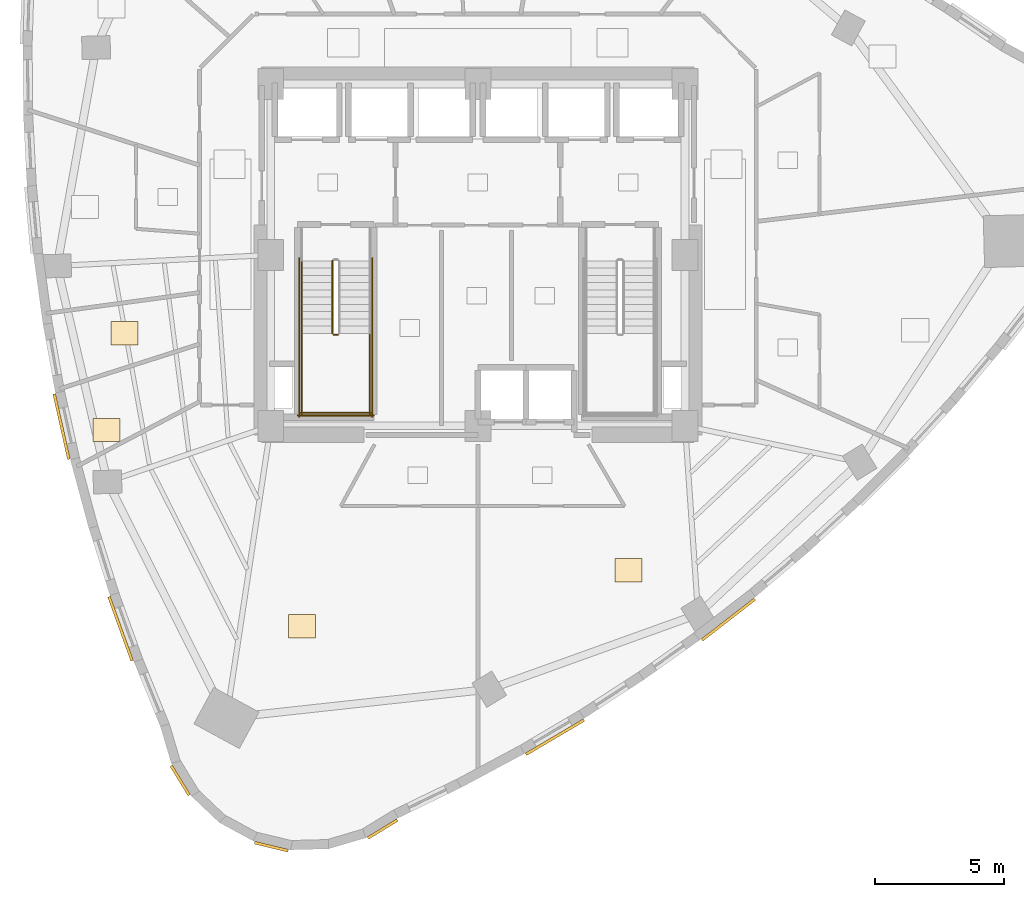
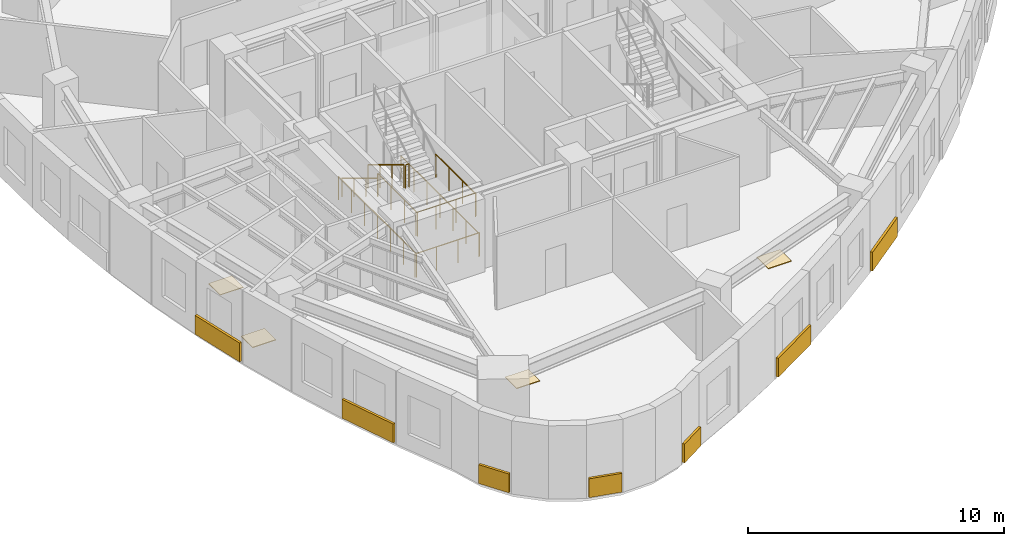
# One storey, part 10 of 12: 11 coverings, 9 railings.
"""IFC4 building model written with IfcOpenShell, lengths in metres."""

from ifc_helpers import new_model, si_unit, direction, frame, origin, origin_2d, place, context, subcontext, project, spatial, rectangle, circle, extrude, material, layer, layer_set, type_object, element, save


model = new_model("IFC4")

# Units and contexts
model_context = context("Model", 3, precision=1e-05, world=origin(), true_north=direction((0.0, 1.0)))
body_context = subcontext(model_context, "Body", "Model", "MODEL_VIEW")
ifc_project = project(units=[si_unit("LENGTHUNIT", "METRE"), si_unit("AREAUNIT", "SQUARE_METRE"), si_unit("VOLUMEUNIT", "CUBIC_METRE"), si_unit("PLANEANGLEUNIT", "RADIAN"), si_unit("MASSUNIT", "GRAM", prefix="KILO")], contexts=[model_context])

# Site, building, storey
site_placement = place(None, origin())
site = spatial("IfcSite", under=ifc_project, at=site_placement, CompositionType="ELEMENT")
building_placement = place(site_placement, origin())
building = spatial("IfcBuilding", under=site, at=building_placement, Name="Ndelora Gate Hotel", CompositionType="ELEMENT")
storey_placement = place(building_placement, frame((0.0, 0.0, 153.5)))
storey = spatial("IfcBuildingStorey", under=building, at=storey_placement, Name="L38", CompositionType="ELEMENT", Elevation=153.5)

# Coverings
ifc_material_1 = material(Name="Terracotta Fired Clay Brick Slip Cladding", Category="masonry")
ifc_layer_1 = layer(ifc_material_1, 0.110107421875)
ifc_layer_set_1 = layer_set([ifc_layer_1], Name="Terracotta Fired Clay Brick Slip Cladding")
covering_type_1 = type_object("IfcCoveringType", Name="COV-CLAD-BRK", PredefinedType="CLADDING", material=ifc_layer_set_1)
covering_1_placement = place(storey_placement, frame((-16.08154296875, -6.630615234375, 0.10009765625), z_axis=(0.0, 0.0, 1.0), x_axis=(-0.218994806262, 0.975726024471, 0.0)))
element("IfcCovering", 1, at=covering_1_placement, inside=storey, type_object=covering_type_1, Name="L38 Rounded-Corner Brick Cladding Band 16", PredefinedType="CLADDING", context=body_context, shape_type="SweptSolid", body=[
    extrude(rectangle(XDim=2.583984375, YDim=0.110107421875, at=origin_2d()), origin(), (0.0, 0.0, 1.0), 0.89990234375),
])
covering_2_placement = place(storey_placement, frame((-13.8037109375, -14.436279296875, 0.10009765625), z_axis=(0.0, 0.0, 1.0), x_axis=(-0.339230517808, 0.940703277228, 0.0)))
element("IfcCovering", 2, at=covering_2_placement, inside=storey, type_object=covering_type_1, Name="L38 Rounded-Corner Brick Cladding Band 19", PredefinedType="CLADDING", context=body_context, shape_type="SweptSolid", body=[
    extrude(rectangle(XDim=2.6279296875, YDim=0.110107421875, at=origin_2d()), origin(), (0.0, 0.0, 1.0), 0.89990234375),
])
for number, where, z_axis, x_axis, name in (
    (3, (-11.5, -20.298583984375, 0.10009765625), (0.0, 0.0, 1.0), (-0.522498564716, 0.852640164354, 0.0), "L38 Rounded-Corner Brick Cladding Band 22"),
    (4, (-7.97900390625, -22.85693359375, 0.10009765625), (0.0, 0.0, 1.0), (-0.972369920398, 0.233445363856, 0.0), "L38 Rounded-Corner Brick Cladding Band 25"),
    (5, (-3.680419921875, -22.176025390625, 0.10009765625), (0.0, 0.0, 1.0), (0.852640164354, 0.522498564716, 0.0), "L38 Rounded-Corner Brick Cladding Band 28"),
):
    element("IfcCovering", number, at=place(storey_placement, frame(where, z_axis=z_axis, x_axis=x_axis)), inside=storey, type_object=covering_type_1, Name=name, PredefinedType="CLADDING", context=body_context, shape_type="SweptSolid", body=[
        extrude(rectangle(XDim=1.3359375, YDim=0.110107421875, at=origin_2d()), origin(), (0.0, 0.0, 1.0), 0.89990234375),
    ])
covering_3_placement = place(storey_placement, frame((2.975341796875, -18.628173828125, 0.10009765625), z_axis=(0.0, 0.0, 1.0), x_axis=(0.861274621876, 0.508139769859, 0.0)))
element("IfcCovering", 6, at=covering_3_placement, inside=storey, type_object=covering_type_1, Name="L38 Rounded-Corner Brick Cladding Band 31", PredefinedType="CLADDING", context=body_context, shape_type="SweptSolid", body=[
    extrude(rectangle(XDim=2.60791015625, YDim=0.110107421875, at=origin_2d()), origin(), (0.0, 0.0, 1.0), 0.89990234375),
])
covering_4_placement = place(storey_placement, frame((9.67578125, -14.084716796875, 0.10009765625), z_axis=(0.0, 0.0, 1.0), x_axis=(0.790368909154, 0.612631200187, 0.0)))
element("IfcCovering", 7, at=covering_4_placement, inside=storey, type_object=covering_type_1, Name="L38 Rounded-Corner Brick Cladding Band 34", PredefinedType="CLADDING", context=body_context, shape_type="SweptSolid", body=[
    extrude(rectangle(XDim=2.580078125, YDim=0.110107421875, at=origin_2d()), origin(), (0.0, 0.0, 1.0), 0.89990234375),
])
ifc_material_2 = material(Name="Engineered Highland Oak Parquet", Category="wood")
ifc_layer_2 = layer(ifc_material_2, 0.030029296875)
ifc_layer_set_2 = layer_set([ifc_layer_2], Name="Engineered Highland Oak Parquet")
covering_type_2 = type_object("IfcCoveringType", Name="COV-FLR-PARQ", PredefinedType="FLOORING", material=ifc_layer_set_2)
for number, where, z_axis, x_axis, name in (
    (8, (-6.793212890625, -14.343505859375, 0.0), (0.0, 0.0, 1.0), (1.0, 0.0, 0.0), "L38 Club King Corner Suite 4101 Oak Parquet Flooring"),
    (9, (5.814453125, -12.183837890625, 0.0), (0.0, 0.0, 1.0), (1.0, 0.0, 0.0), "L38 Club Twin Corner Suite 4102 Oak Parquet Flooring"),
    (10, (-13.6513671875, -3.01953125, 0.0), (0.0, 0.0, 1.0), (1.0, 0.0, 0.0), "L38 Housekeeping and Linen Room Oak Parquet Flooring"),
    (11, (-14.341064453125, -6.76171875, 0.0), (0.0, 0.0, 1.0), (1.0, 0.0, 0.0), "L38 Accessible WC Oak Parquet Flooring"),
):
    element("IfcCovering", number, at=place(storey_placement, frame(where, z_axis=z_axis, x_axis=x_axis)), inside=storey, type_object=covering_type_2, Name=name, PredefinedType="FLOORING", context=body_context, shape_type="SweptSolid", body=[
        extrude(rectangle(XDim=1.050048828125, YDim=0.89990234375, at=origin_2d()), origin(), (0.0, 0.0, 1.0), 0.030029296875),
    ])

# Railings
ifc_material_3 = material(Name="Painted Galvanized Steel Balustrade", Category="steel")
ifc_layer_3 = layer(ifc_material_3, 0.06005859375)
ifc_layer_set_3 = layer_set([ifc_layer_3], Name="Painted Galvanized Steel Balustrade")
railing_type_1 = type_object("IfcRailingType", Name="RL-STAIR-GD", PredefinedType="GUARDRAIL", material=ifc_layer_set_3)
railing_1_placement = place(storey_placement, frame((-5.6201171875, -0.22998046875, 0.17041015625)))
element("IfcRailing", 12, at=railing_1_placement, inside=storey, type_object=railing_type_1, Name="L38 ST4 stair guard 1", PredefinedType="GUARDRAIL", context=body_context, shape_type="SweptSolid", body=[
    extrude(circle(Radius=0.02392578125, at=origin_2d()), frame((0.0, 0.0, 1.10595703125), z_axis=(0.0, -0.854169791009, 0.51999420009), x_axis=(1.0, 0.0, 0.0)), (0.0, 0.0, 1.0), 3.278076171875),
    extrude(circle(Radius=0.02099609375, at=origin_2d()), origin(), (0.0, 0.0, 1.0), 1.081787109375),
    extrude(circle(Radius=0.02099609375, at=origin_2d()), frame((0.0, -0.933349609375, 0.568115234375)), (0.0, 0.0, 1.0), 1.081787109375),
    extrude(circle(Radius=0.02099609375, at=origin_2d()), frame((0.0, -1.86669921875, 1.136474609375)), (0.0, 0.0, 1.0), 1.081787109375),
    extrude(circle(Radius=0.02099609375, at=origin_2d()), frame((0.0, -2.800048828125, 1.70458984375)), (0.0, 0.0, 1.0), 1.081787109375),
])
railing_2_placement = place(storey_placement, frame((-5.570068359375, -3.080078125, 1.875)))
element("IfcRailing", 13, at=railing_2_placement, inside=storey, type_object=railing_type_1, Name="L38 ST4 stair guard 2", PredefinedType="GUARDRAIL", context=body_context, shape_type="SweptSolid", body=[
    extrude(circle(Radius=0.02392578125, at=origin_2d()), frame((0.0, 0.0, 1.10595703125), z_axis=(1.0, 0.0, 0.0), x_axis=(0.0, 1.0, 0.0)), (0.0, 0.0, 1.0), 0.16015625),
    extrude(circle(Radius=0.02099609375, at=origin_2d()), origin(), (0.0, 0.0, 1.0), 1.081787109375),
    extrude(circle(Radius=0.02099609375, at=origin_2d()), frame((0.16015625, 0.0, 0.0)), (0.0, 0.0, 1.0), 1.081787109375),
])
for number, where, name in (
    (14, (-6.800048828125, -3.030029296875, 1.875), "L38 ST4 stair guard 3"),
    (15, (-4.179931640625, -3.030029296875, 1.875), "L38 ST4 stair guard 4"),
):
    element("IfcRailing", number, at=place(storey_placement, frame(where)), inside=storey, type_object=railing_type_1, Name=name, PredefinedType="GUARDRAIL", context=body_context, shape_type="SweptSolid", body=[
        extrude(circle(Radius=0.02392578125, at=origin_2d()), frame((0.0, 0.0, 1.10595703125), z_axis=(0.0, -1.0, 0.0), x_axis=(1.0, 0.0, 0.0)), (0.0, 0.0, 1.0), 3.119873046875),
        extrude(circle(Radius=0.02099609375, at=origin_2d()), origin(), (0.0, 0.0, 1.0), 1.081787109375),
        extrude(circle(Radius=0.02099609375, at=origin_2d()), frame((0.0, -1.0400390625, 0.0)), (0.0, 0.0, 1.0), 1.081787109375),
        extrude(circle(Radius=0.02099609375, at=origin_2d()), frame((0.0, -2.079833984375, 0.0)), (0.0, 0.0, 1.0), 1.081787109375),
        extrude(circle(Radius=0.02099609375, at=origin_2d()), frame((0.0, -3.119873046875, 0.0)), (0.0, 0.0, 1.0), 1.081787109375),
    ])
railing_3_placement = place(storey_placement, frame((-6.85009765625, -6.10009765625, 1.875)))
element("IfcRailing", 16, at=railing_3_placement, inside=storey, type_object=railing_type_1, Name="L38 ST4 stair guard 5", PredefinedType="GUARDRAIL", context=body_context, shape_type="SweptSolid", body=[
    extrude(circle(Radius=0.02392578125, at=origin_2d()), frame((0.0, 0.0, 1.10595703125), z_axis=(1.0, 0.0, 0.0), x_axis=(0.0, 1.0, 0.0)), (0.0, 0.0, 1.0), 2.72021484375),
    extrude(circle(Radius=0.02099609375, at=origin_2d()), origin(), (0.0, 0.0, 1.0), 1.081787109375),
    extrude(circle(Radius=0.02099609375, at=origin_2d()), frame((0.90673828125, 0.0, 0.0)), (0.0, 0.0, 1.0), 1.081787109375),
    extrude(circle(Radius=0.02099609375, at=origin_2d()), frame((1.8134765625, 0.0, 0.0)), (0.0, 0.0, 1.0), 1.081787109375),
    extrude(circle(Radius=0.02099609375, at=origin_2d()), frame((2.72021484375, 0.0, 0.0)), (0.0, 0.0, 1.0), 1.081787109375),
])
for number, where, name in (
    (17, (-6.89990234375, -0.1298828125, 0.0), "L38 ST4 stair guard 10"),
    (18, (-4.080078125, -0.1298828125, 0.0), "L38 ST4 stair guard 11"),
):
    element("IfcRailing", number, at=place(storey_placement, frame(where)), inside=storey, type_object=railing_type_1, Name=name, PredefinedType="GUARDRAIL", context=body_context, shape_type="SweptSolid", body=[
        extrude(circle(Radius=0.02392578125, at=origin_2d()), frame((0.0, 0.0, 1.10595703125), z_axis=(0.0, -1.0, 0.0), x_axis=(1.0, 0.0, 0.0)), (0.0, 0.0, 1.0), 6.1201171875),
        extrude(circle(Radius=0.02099609375, at=origin_2d()), origin(), (0.0, 0.0, 1.0), 1.081787109375),
        extrude(circle(Radius=0.02099609375, at=origin_2d()), frame((0.0, -1.02001953125, 0.0)), (0.0, 0.0, 1.0), 1.081787109375),
        extrude(circle(Radius=0.02099609375, at=origin_2d()), frame((0.0, -2.0400390625, 0.0)), (0.0, 0.0, 1.0), 1.081787109375),
        extrude(circle(Radius=0.02099609375, at=origin_2d()), frame((0.0, -3.06005859375, 0.0)), (0.0, 0.0, 1.0), 1.081787109375),
        extrude(circle(Radius=0.02099609375, at=origin_2d()), frame((0.0, -4.080078125, 0.0)), (0.0, 0.0, 1.0), 1.081787109375),
        extrude(circle(Radius=0.02099609375, at=origin_2d()), frame((0.0, -5.10009765625, 0.0)), (0.0, 0.0, 1.0), 1.081787109375),
        extrude(circle(Radius=0.02099609375, at=origin_2d()), frame((0.0, -6.1201171875, 0.0)), (0.0, 0.0, 1.0), 1.081787109375),
    ])
railing_4_placement = place(storey_placement, frame((-6.949951171875, -6.199951171875, 0.0)))
element("IfcRailing", 19, at=railing_4_placement, inside=storey, type_object=railing_type_1, Name="L38 ST4 stair guard 12", PredefinedType="GUARDRAIL", context=body_context, shape_type="SweptSolid", body=[
    extrude(circle(Radius=0.02392578125, at=origin_2d()), frame((0.0, 0.0, 1.10595703125), z_axis=(1.0, 0.0, 0.0), x_axis=(0.0, 1.0, 0.0)), (0.0, 0.0, 1.0), 2.919921875),
    extrude(circle(Radius=0.02099609375, at=origin_2d()), origin(), (0.0, 0.0, 1.0), 1.081787109375),
    extrude(circle(Radius=0.02099609375, at=origin_2d()), frame((0.973388671875, 0.0, 0.0)), (0.0, 0.0, 1.0), 1.081787109375),
    extrude(circle(Radius=0.02099609375, at=origin_2d()), frame((1.946533203125, 0.0, 0.0)), (0.0, 0.0, 1.0), 1.081787109375),
    extrude(circle(Radius=0.02099609375, at=origin_2d()), frame((2.919921875, 0.0, 0.0)), (0.0, 0.0, 1.0), 1.081787109375),
])
ifc_material_4 = material(Name="Brushed Stainless Steel 316", Category="steel")
ifc_layer_4 = layer(ifc_material_4, 0.050048828125)
ifc_layer_set_4 = layer_set([ifc_layer_4], Name="Brushed Stainless Steel 316")
railing_type_2 = type_object("IfcRailingType", Name="RL-STAIR-HR", PredefinedType="HANDRAIL", material=ifc_layer_set_4)
railing_5_placement = place(storey_placement, frame((-6.800048828125, -0.22998046875, 0.17041015625)))
element("IfcRailing", 20, at=railing_5_placement, inside=storey, type_object=railing_type_2, Name="L38 ST4 stair handrail 1", PredefinedType="HANDRAIL", context=body_context, shape_type="SweptSolid", body=[
    extrude(circle(Radius=0.02392578125, at=origin_2d()), frame((0.0, 0.0, 0.8759765625), z_axis=(0.0, -0.854169791009, 0.51999420009), x_axis=(1.0, 0.0, 0.0)), (0.0, 0.0, 1.0), 3.278076171875),
    extrude(circle(Radius=0.02099609375, at=origin_2d()), origin(), (0.0, 0.0, 1.0), 0.851806640625),
    extrude(circle(Radius=0.02099609375, at=origin_2d()), frame((0.0, -0.933349609375, 0.568115234375)), (0.0, 0.0, 1.0), 0.851806640625),
    extrude(circle(Radius=0.02099609375, at=origin_2d()), frame((0.0, -1.86669921875, 1.136474609375)), (0.0, 0.0, 1.0), 0.851806640625),
    extrude(circle(Radius=0.02099609375, at=origin_2d()), frame((0.0, -2.800048828125, 1.70458984375)), (0.0, 0.0, 1.0), 0.851806640625),
])

save(model, "model.ifc")
